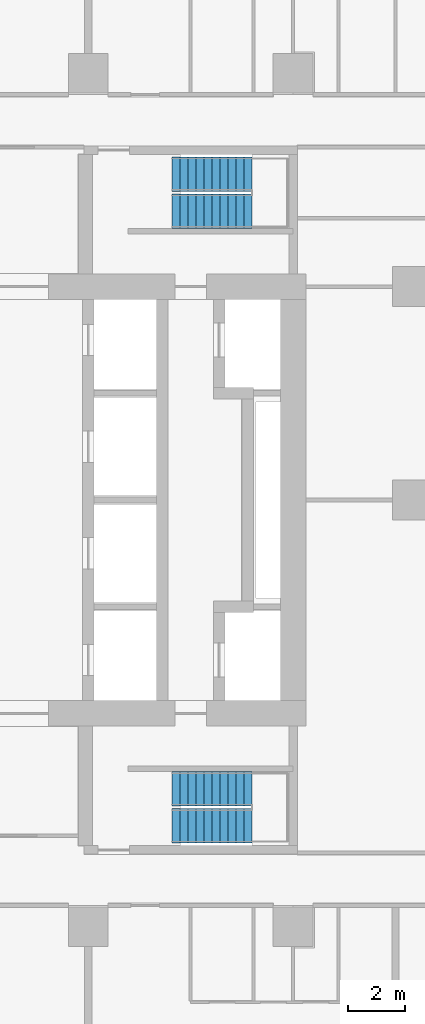
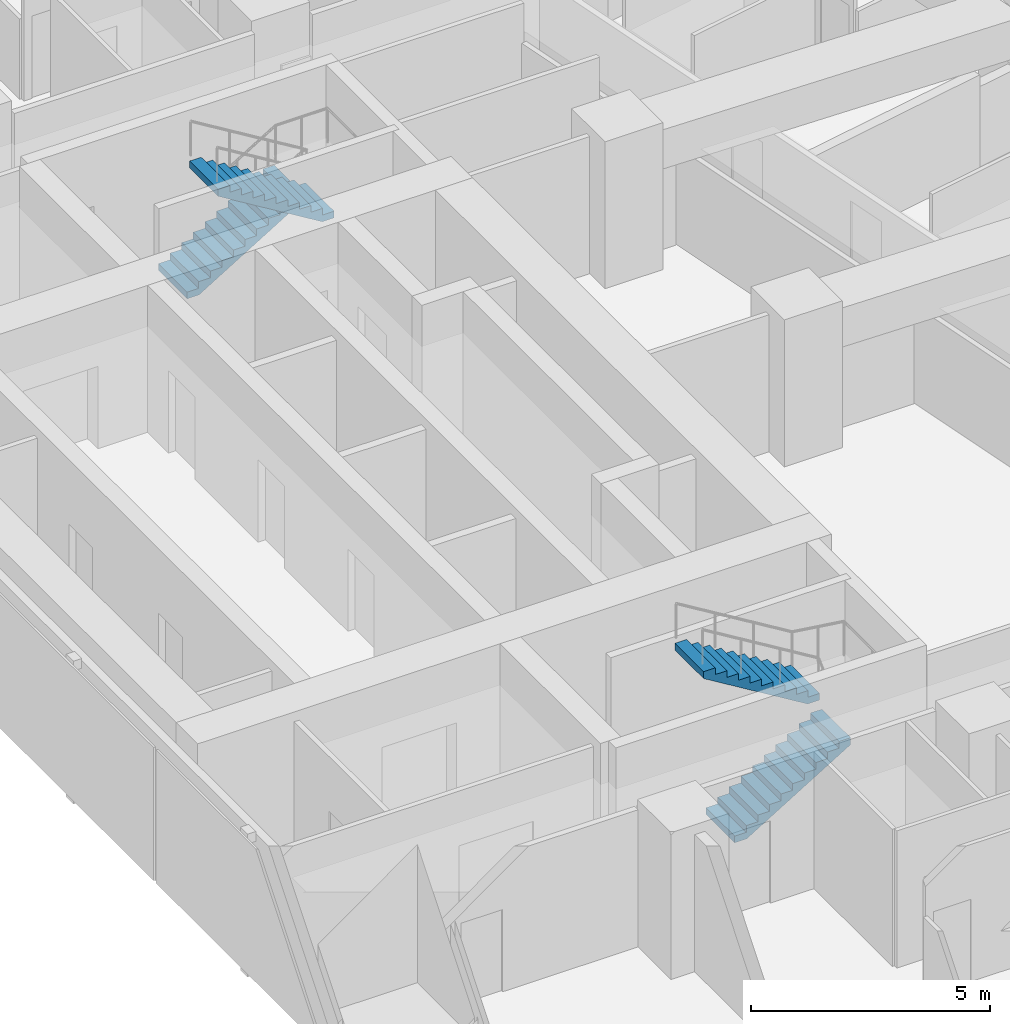
# One storey, part 9 of 10: 4 stair flights, 2 elements without a shape of their own.
"""IFC4 building model written with IfcOpenShell, lengths in metres."""

from ifc_helpers import new_model, si_unit, direction, frame, origin, place, context, subcontext, project, spatial, triangles, material, type_object, element, aggregate, save


model = new_model("IFC4")

# Units and contexts
model_context = context("Model", 3, precision=1e-05, world=origin(), true_north=direction((0.0, 1.0)))
body_context = subcontext(model_context, "Body", "Model", "MODEL_VIEW")
ifc_project = project(units=[si_unit("LENGTHUNIT", "METRE"), si_unit("AREAUNIT", "SQUARE_METRE"), si_unit("VOLUMEUNIT", "CUBIC_METRE"), si_unit("PLANEANGLEUNIT", "RADIAN"), si_unit("MASSUNIT", "GRAM", prefix="KILO")], contexts=[model_context])

# Site, building, storey
site_placement = place(None, origin())
site = spatial("IfcSite", under=ifc_project, at=site_placement, CompositionType="ELEMENT")
building_placement = place(site_placement, origin())
building = spatial("IfcBuilding", under=site, at=building_placement, Name="Sheger Commons Tower", CompositionType="ELEMENT")
storey_placement = place(building_placement, frame((0.0, 0.0, 238.699951171875)))
storey = spatial("IfcBuildingStorey", under=building, at=storey_placement, Name="L61", CompositionType="ELEMENT", Elevation=238.699951171875)

# Stair, stair flights
ifc_material_1 = material(Name="Concrete C35/45", Category="concrete")
stair_type = type_object("IfcStairType", Name="HALF-TURN STAIR 1200 RISE 3750", PredefinedType="HALF_TURN_STAIR", material=ifc_material_1)
stair_1_placement = place(storey_placement, origin())
stair_1 = element("IfcStair", 1, at=stair_1_placement, inside=storey, type_object=stair_type, Name="Stair S1 L61", PredefinedType="HALF_TURN_STAIR")
ifc_material_2 = material(Name="Concrete C35/45", Category="concrete")
stair_flight_type = type_object("IfcStairFlightType", Name="STAIR FLIGHT 1200 11 RISERS OF 170", PredefinedType="STRAIGHT", material=ifc_material_2)
stair_flight_1_placement = place(storey_placement, frame((24.550048828125, 11.050048828125, 0.0), z_axis=(0.0, 0.0, 1.0), x_axis=(1.0, 0.0, 0.0)))
stair_flight_1 = element("IfcStairFlight", 2, at=stair_flight_1_placement, type_object=stair_flight_type, Name="S1 flight 1", NumberOfRisers=11, NumberOfTreads=10, PredefinedType="STRAIGHT", RiserHeight=0.170454545, TreadLength=0.28, context=body_context, shape_type="Tessellation", body=[
    triangles([(0.0, 0.5999755859375, 0.0), (0.0, 0.5999755859375, 0.17041015625), (0.280029296875, 0.5999755859375, 0.17041015625), (0.280029296875, 0.5999755859375, 0.3408203125), (0.56005859375, 0.5999755859375, 0.3408203125), (0.56005859375, 0.5999755859375, 0.511474609375), (0.840087890625, 0.5999755859375, 0.511474609375), (0.840087890625, 0.5999755859375, 0.681884765625), (1.1201171875, 0.5999755859375, 0.681884765625), (1.1201171875, 0.5999755859375, 0.852294921875), (1.39990234375, 0.5999755859375, 0.852294921875), (1.39990234375, 0.5999755859375, 1.022705078125), (1.679931640625, 0.5999755859375, 1.022705078125), (1.679931640625, 0.5999755859375, 1.193115234375), (1.9599609375, 0.5999755859375, 1.193115234375), (1.9599609375, 0.5999755859375, 1.363525390625), (2.239990234375, 0.5999755859375, 1.363525390625), (2.239990234375, 0.5999755859375, 1.5341796875), (2.52001953125, 0.5999755859375, 1.5341796875), (2.52001953125, 0.5999755859375, 1.70458984375), (2.800048828125, 0.5999755859375, 1.70458984375), (2.800048828125, 0.5999755859375, 1.529052734375), (0.288330078125, 0.5999755859375, 0.0), (0.0, -0.5999755859375, 0.0), (0.0, -0.5999755859375, 0.17041015625), (0.280029296875, -0.5999755859375, 0.17041015625), (0.280029296875, -0.5999755859375, 0.3408203125), (0.56005859375, -0.5999755859375, 0.3408203125), (0.56005859375, -0.5999755859375, 0.511474609375), (0.840087890625, -0.5999755859375, 0.511474609375), (0.840087890625, -0.5999755859375, 0.681884765625), (1.1201171875, -0.5999755859375, 0.681884765625), (1.1201171875, -0.5999755859375, 0.852294921875), (1.39990234375, -0.5999755859375, 0.852294921875), (1.39990234375, -0.5999755859375, 1.022705078125), (1.679931640625, -0.5999755859375, 1.022705078125), (1.679931640625, -0.5999755859375, 1.193115234375), (1.9599609375, -0.5999755859375, 1.193115234375), (1.9599609375, -0.5999755859375, 1.363525390625), (2.239990234375, -0.5999755859375, 1.363525390625), (2.239990234375, -0.5999755859375, 1.5341796875), (2.52001953125, -0.5999755859375, 1.5341796875), (2.52001953125, -0.5999755859375, 1.70458984375), (2.800048828125, -0.5999755859375, 1.70458984375), (2.800048828125, -0.5999755859375, 1.529052734375), (0.288330078125, -0.5999755859375, 0.0), (0.0, 0.0, 0.085205078125), (0.1400146484375, 0.0, 0.17041015625), (0.280029296875, 0.0, 0.255615234375), (0.4200439453125, 0.0, 0.3408203125), (0.56005859375, 0.0, 0.4261474609375), (0.7000732421875, 0.0, 0.511474609375), (0.840087890625, 0.0, 0.5966796875), (0.9801025390625, 0.0, 0.681884765625), (1.1201171875, 0.0, 0.76708984375), (1.260009765625, 0.0, 0.852294921875), (1.39990234375, 0.0, 0.9375), (1.5399169921875, 0.0, 1.022705078125), (1.679931640625, 0.0, 1.10791015625), (1.8199462890625, 0.0, 1.193115234375), (1.9599609375, 0.0, 1.2783203125), (2.0999755859375, 0.0, 1.363525390625), (2.239990234375, 0.0, 1.4488525390625), (2.3800048828125, 0.0, 1.5341796875), (2.52001953125, 0.0, 1.619384765625), (2.6600341796875, 0.0, 1.70458984375), (2.800048828125, 0.0, 1.6168212890625), (1.544189453125, 0.0, 0.7645263671875), (0.1441650390625, 0.0, 0.0)], [[1, 22, 23], [24, 46, 45], [22, 20, 21], [45, 44, 43], [22, 19, 20], [45, 43, 42], [22, 18, 19], [45, 42, 41], [22, 17, 18], [45, 41, 40], [17, 15, 16], [40, 39, 38], [22, 15, 17], [45, 40, 38], [15, 13, 14], [38, 37, 36], [22, 13, 15], [45, 38, 36], [13, 11, 12], [36, 35, 34], [22, 11, 13], [45, 36, 34], [11, 9, 10], [34, 33, 32], [22, 9, 11], [45, 34, 32], [9, 7, 8], [32, 31, 30], [22, 7, 9], [45, 32, 30], [7, 5, 6], [30, 29, 28], [22, 5, 7], [45, 30, 28], [5, 3, 4], [28, 27, 26], [22, 3, 5], [45, 28, 26], [1, 3, 22], [24, 45, 26], [3, 1, 2], [26, 25, 24], [1, 47, 2], [2, 47, 25], [25, 47, 24], [24, 47, 1], [2, 48, 3], [3, 48, 26], [26, 48, 25], [25, 48, 2], [3, 49, 4], [4, 49, 27], [27, 49, 26], [26, 49, 3], [4, 50, 5], [5, 50, 28], [28, 50, 27], [27, 50, 4], [5, 51, 6], [6, 51, 29], [29, 51, 28], [28, 51, 5], [6, 52, 7], [7, 52, 30], [30, 52, 29], [29, 52, 6], [7, 53, 8], [8, 53, 31], [31, 53, 30], [30, 53, 7], [8, 54, 9], [9, 54, 32], [32, 54, 31], [31, 54, 8], [9, 55, 10], [10, 55, 33], [33, 55, 32], [32, 55, 9], [10, 56, 11], [11, 56, 34], [34, 56, 33], [33, 56, 10], [11, 57, 12], [12, 57, 35], [35, 57, 34], [34, 57, 11], [12, 58, 13], [13, 58, 36], [36, 58, 35], [35, 58, 12], [13, 59, 14], [14, 59, 37], [37, 59, 36], [36, 59, 13], [14, 60, 15], [15, 60, 38], [38, 60, 37], [37, 60, 14], [15, 61, 16], [16, 61, 39], [39, 61, 38], [38, 61, 15], [16, 62, 17], [17, 62, 40], [40, 62, 39], [39, 62, 16], [17, 63, 18], [18, 63, 41], [41, 63, 40], [40, 63, 17], [18, 64, 19], [19, 64, 42], [42, 64, 41], [41, 64, 18], [19, 65, 20], [20, 65, 43], [43, 65, 42], [42, 65, 19], [20, 66, 21], [21, 66, 44], [44, 66, 43], [43, 66, 20], [21, 67, 22], [22, 67, 45], [45, 67, 44], [44, 67, 21], [22, 68, 23], [23, 68, 46], [46, 68, 45], [45, 68, 22], [23, 69, 1], [1, 69, 24], [24, 69, 46], [46, 69, 23]], closed=True),
])
stair_flight_2_placement = place(storey_placement, frame((27.35009765625, 12.35009765625, 1.875), z_axis=(0.0, 0.0, 1.0), x_axis=(-1.0, 0.0, 0.0)))
stair_flight_2 = element("IfcStairFlight", 3, at=stair_flight_2_placement, type_object=stair_flight_type, Name="S1 flight 2", NumberOfRisers=11, NumberOfTreads=10, PredefinedType="STRAIGHT", RiserHeight=0.170454545, TreadLength=0.28, context=body_context, shape_type="Tessellation", body=[
    triangles([(0.0, 0.5999755859375, 0.0), (0.0, 0.5999755859375, 0.17041015625), (0.280029296875, 0.5999755859375, 0.17041015625), (0.280029296875, 0.5999755859375, 0.3408203125), (0.56005859375, 0.5999755859375, 0.3408203125), (0.56005859375, 0.5999755859375, 0.511474609375), (0.840087890625, 0.5999755859375, 0.511474609375), (0.840087890625, 0.5999755859375, 0.681884765625), (1.1201171875, 0.5999755859375, 0.681884765625), (1.1201171875, 0.5999755859375, 0.852294921875), (1.39990234375, 0.5999755859375, 0.852294921875), (1.39990234375, 0.5999755859375, 1.022705078125), (1.679931640625, 0.5999755859375, 1.022705078125), (1.679931640625, 0.5999755859375, 1.193115234375), (1.9599609375, 0.5999755859375, 1.193115234375), (1.9599609375, 0.5999755859375, 1.363525390625), (2.239990234375, 0.5999755859375, 1.363525390625), (2.239990234375, 0.5999755859375, 1.5341796875), (2.52001953125, 0.5999755859375, 1.5341796875), (2.52001953125, 0.5999755859375, 1.70458984375), (2.800048828125, 0.5999755859375, 1.70458984375), (2.800048828125, 0.5999755859375, 1.529052734375), (0.288330078125, 0.5999755859375, 0.0), (0.0, -0.5999755859375, 0.0), (0.0, -0.5999755859375, 0.17041015625), (0.280029296875, -0.5999755859375, 0.17041015625), (0.280029296875, -0.5999755859375, 0.3408203125), (0.56005859375, -0.5999755859375, 0.3408203125), (0.56005859375, -0.5999755859375, 0.511474609375), (0.840087890625, -0.5999755859375, 0.511474609375), (0.840087890625, -0.5999755859375, 0.681884765625), (1.1201171875, -0.5999755859375, 0.681884765625), (1.1201171875, -0.5999755859375, 0.852294921875), (1.39990234375, -0.5999755859375, 0.852294921875), (1.39990234375, -0.5999755859375, 1.022705078125), (1.679931640625, -0.5999755859375, 1.022705078125), (1.679931640625, -0.5999755859375, 1.193115234375), (1.9599609375, -0.5999755859375, 1.193115234375), (1.9599609375, -0.5999755859375, 1.363525390625), (2.239990234375, -0.5999755859375, 1.363525390625), (2.239990234375, -0.5999755859375, 1.5341796875), (2.52001953125, -0.5999755859375, 1.5341796875), (2.52001953125, -0.5999755859375, 1.70458984375), (2.800048828125, -0.5999755859375, 1.70458984375), (2.800048828125, -0.5999755859375, 1.529052734375), (0.288330078125, -0.5999755859375, 0.0), (0.0, 0.0, 0.085205078125), (0.1400146484375, 0.0, 0.17041015625), (0.280029296875, 0.0, 0.255615234375), (0.4200439453125, 0.0, 0.3408203125), (0.56005859375, 0.0, 0.4261474609375), (0.7000732421875, 0.0, 0.511474609375), (0.840087890625, 0.0, 0.5966796875), (0.9801025390625, 0.0, 0.681884765625), (1.1201171875, 0.0, 0.76708984375), (1.260009765625, 0.0, 0.852294921875), (1.39990234375, 0.0, 0.9375), (1.5399169921875, 0.0, 1.022705078125), (1.679931640625, 0.0, 1.10791015625), (1.8199462890625, 0.0, 1.193115234375), (1.9599609375, 0.0, 1.2783203125), (2.0999755859375, 0.0, 1.363525390625), (2.239990234375, 0.0, 1.4488525390625), (2.3800048828125, 0.0, 1.5341796875), (2.52001953125, 0.0, 1.619384765625), (2.6600341796875, 0.0, 1.70458984375), (2.800048828125, 0.0, 1.6168212890625), (1.544189453125, 0.0, 0.7645263671875), (0.1441650390625, 0.0, 0.0)], [[1, 22, 23], [24, 46, 45], [22, 20, 21], [45, 44, 43], [22, 19, 20], [45, 43, 42], [22, 18, 19], [45, 42, 41], [22, 17, 18], [45, 41, 40], [17, 15, 16], [40, 39, 38], [22, 15, 17], [45, 40, 38], [15, 13, 14], [38, 37, 36], [22, 13, 15], [45, 38, 36], [13, 11, 12], [36, 35, 34], [22, 11, 13], [45, 36, 34], [11, 9, 10], [34, 33, 32], [22, 9, 11], [45, 34, 32], [9, 7, 8], [32, 31, 30], [22, 7, 9], [45, 32, 30], [7, 5, 6], [30, 29, 28], [22, 5, 7], [45, 30, 28], [5, 3, 4], [28, 27, 26], [22, 3, 5], [45, 28, 26], [1, 3, 22], [24, 45, 26], [3, 1, 2], [26, 25, 24], [1, 47, 2], [2, 47, 25], [25, 47, 24], [24, 47, 1], [2, 48, 3], [3, 48, 26], [26, 48, 25], [25, 48, 2], [3, 49, 4], [4, 49, 27], [27, 49, 26], [26, 49, 3], [4, 50, 5], [5, 50, 28], [28, 50, 27], [27, 50, 4], [5, 51, 6], [6, 51, 29], [29, 51, 28], [28, 51, 5], [6, 52, 7], [7, 52, 30], [30, 52, 29], [29, 52, 6], [7, 53, 8], [8, 53, 31], [31, 53, 30], [30, 53, 7], [8, 54, 9], [9, 54, 32], [32, 54, 31], [31, 54, 8], [9, 55, 10], [10, 55, 33], [33, 55, 32], [32, 55, 9], [10, 56, 11], [11, 56, 34], [34, 56, 33], [33, 56, 10], [11, 57, 12], [12, 57, 35], [35, 57, 34], [34, 57, 11], [12, 58, 13], [13, 58, 36], [36, 58, 35], [35, 58, 12], [13, 59, 14], [14, 59, 37], [37, 59, 36], [36, 59, 13], [14, 60, 15], [15, 60, 38], [38, 60, 37], [37, 60, 14], [15, 61, 16], [16, 61, 39], [39, 61, 38], [38, 61, 15], [16, 62, 17], [17, 62, 40], [40, 62, 39], [39, 62, 16], [17, 63, 18], [18, 63, 41], [41, 63, 40], [40, 63, 17], [18, 64, 19], [19, 64, 42], [42, 64, 41], [41, 64, 18], [19, 65, 20], [20, 65, 43], [43, 65, 42], [42, 65, 19], [20, 66, 21], [21, 66, 44], [44, 66, 43], [43, 66, 20], [21, 67, 22], [22, 67, 45], [45, 67, 44], [44, 67, 21], [22, 68, 23], [23, 68, 46], [46, 68, 45], [45, 68, 22], [23, 69, 1], [1, 69, 24], [24, 69, 46], [46, 69, 23]], closed=True),
])
aggregate(stair_1, [stair_flight_1, stair_flight_2])

stair_2_placement = place(storey_placement, origin())
stair_2 = element("IfcStair", 4, at=stair_2_placement, inside=storey, type_object=stair_type, Name="Stair S2 L61", PredefinedType="HALF_TURN_STAIR")
stair_flight_3_placement = place(storey_placement, frame((24.550048828125, 33.949951171875, 0.0), z_axis=(0.0, 0.0, 1.0), x_axis=(1.0, 0.0, 0.0)))
stair_flight_3 = element("IfcStairFlight", 5, at=stair_flight_3_placement, type_object=stair_flight_type, Name="S2 flight 1", NumberOfRisers=11, NumberOfTreads=10, PredefinedType="STRAIGHT", RiserHeight=0.170454545, TreadLength=0.28, context=body_context, shape_type="Tessellation", body=[
    triangles([(0.0, 0.5999755859375, 0.0), (0.0, 0.5999755859375, 0.17041015625), (0.280029296875, 0.5999755859375, 0.17041015625), (0.280029296875, 0.5999755859375, 0.3408203125), (0.56005859375, 0.5999755859375, 0.3408203125), (0.56005859375, 0.5999755859375, 0.511474609375), (0.840087890625, 0.5999755859375, 0.511474609375), (0.840087890625, 0.5999755859375, 0.681884765625), (1.1201171875, 0.5999755859375, 0.681884765625), (1.1201171875, 0.5999755859375, 0.852294921875), (1.39990234375, 0.5999755859375, 0.852294921875), (1.39990234375, 0.5999755859375, 1.022705078125), (1.679931640625, 0.5999755859375, 1.022705078125), (1.679931640625, 0.5999755859375, 1.193115234375), (1.9599609375, 0.5999755859375, 1.193115234375), (1.9599609375, 0.5999755859375, 1.363525390625), (2.239990234375, 0.5999755859375, 1.363525390625), (2.239990234375, 0.5999755859375, 1.5341796875), (2.52001953125, 0.5999755859375, 1.5341796875), (2.52001953125, 0.5999755859375, 1.70458984375), (2.800048828125, 0.5999755859375, 1.70458984375), (2.800048828125, 0.5999755859375, 1.529052734375), (0.288330078125, 0.5999755859375, 0.0), (0.0, -0.5999755859375, 0.0), (0.0, -0.5999755859375, 0.17041015625), (0.280029296875, -0.5999755859375, 0.17041015625), (0.280029296875, -0.5999755859375, 0.3408203125), (0.56005859375, -0.5999755859375, 0.3408203125), (0.56005859375, -0.5999755859375, 0.511474609375), (0.840087890625, -0.5999755859375, 0.511474609375), (0.840087890625, -0.5999755859375, 0.681884765625), (1.1201171875, -0.5999755859375, 0.681884765625), (1.1201171875, -0.5999755859375, 0.852294921875), (1.39990234375, -0.5999755859375, 0.852294921875), (1.39990234375, -0.5999755859375, 1.022705078125), (1.679931640625, -0.5999755859375, 1.022705078125), (1.679931640625, -0.5999755859375, 1.193115234375), (1.9599609375, -0.5999755859375, 1.193115234375), (1.9599609375, -0.5999755859375, 1.363525390625), (2.239990234375, -0.5999755859375, 1.363525390625), (2.239990234375, -0.5999755859375, 1.5341796875), (2.52001953125, -0.5999755859375, 1.5341796875), (2.52001953125, -0.5999755859375, 1.70458984375), (2.800048828125, -0.5999755859375, 1.70458984375), (2.800048828125, -0.5999755859375, 1.529052734375), (0.288330078125, -0.5999755859375, 0.0), (0.0, 0.0, 0.085205078125), (0.1400146484375, 0.0, 0.17041015625), (0.280029296875, 0.0, 0.255615234375), (0.4200439453125, 0.0, 0.3408203125), (0.56005859375, 0.0, 0.4261474609375), (0.7000732421875, 0.0, 0.511474609375), (0.840087890625, 0.0, 0.5966796875), (0.9801025390625, 0.0, 0.681884765625), (1.1201171875, 0.0, 0.76708984375), (1.260009765625, 0.0, 0.852294921875), (1.39990234375, 0.0, 0.9375), (1.5399169921875, 0.0, 1.022705078125), (1.679931640625, 0.0, 1.10791015625), (1.8199462890625, 0.0, 1.193115234375), (1.9599609375, 0.0, 1.2783203125), (2.0999755859375, 0.0, 1.363525390625), (2.239990234375, 0.0, 1.4488525390625), (2.3800048828125, 0.0, 1.5341796875), (2.52001953125, 0.0, 1.619384765625), (2.6600341796875, 0.0, 1.70458984375), (2.800048828125, 0.0, 1.6168212890625), (1.544189453125, 0.0, 0.7645263671875), (0.1441650390625, 0.0, 0.0)], [[1, 22, 23], [24, 46, 45], [22, 20, 21], [45, 44, 43], [22, 19, 20], [45, 43, 42], [22, 18, 19], [45, 42, 41], [22, 17, 18], [45, 41, 40], [17, 15, 16], [40, 39, 38], [22, 15, 17], [45, 40, 38], [15, 13, 14], [38, 37, 36], [22, 13, 15], [45, 38, 36], [13, 11, 12], [36, 35, 34], [22, 11, 13], [45, 36, 34], [11, 9, 10], [34, 33, 32], [22, 9, 11], [45, 34, 32], [9, 7, 8], [32, 31, 30], [22, 7, 9], [45, 32, 30], [7, 5, 6], [30, 29, 28], [22, 5, 7], [45, 30, 28], [5, 3, 4], [28, 27, 26], [22, 3, 5], [45, 28, 26], [1, 3, 22], [24, 45, 26], [3, 1, 2], [26, 25, 24], [1, 47, 2], [2, 47, 25], [25, 47, 24], [24, 47, 1], [2, 48, 3], [3, 48, 26], [26, 48, 25], [25, 48, 2], [3, 49, 4], [4, 49, 27], [27, 49, 26], [26, 49, 3], [4, 50, 5], [5, 50, 28], [28, 50, 27], [27, 50, 4], [5, 51, 6], [6, 51, 29], [29, 51, 28], [28, 51, 5], [6, 52, 7], [7, 52, 30], [30, 52, 29], [29, 52, 6], [7, 53, 8], [8, 53, 31], [31, 53, 30], [30, 53, 7], [8, 54, 9], [9, 54, 32], [32, 54, 31], [31, 54, 8], [9, 55, 10], [10, 55, 33], [33, 55, 32], [32, 55, 9], [10, 56, 11], [11, 56, 34], [34, 56, 33], [33, 56, 10], [11, 57, 12], [12, 57, 35], [35, 57, 34], [34, 57, 11], [12, 58, 13], [13, 58, 36], [36, 58, 35], [35, 58, 12], [13, 59, 14], [14, 59, 37], [37, 59, 36], [36, 59, 13], [14, 60, 15], [15, 60, 38], [38, 60, 37], [37, 60, 14], [15, 61, 16], [16, 61, 39], [39, 61, 38], [38, 61, 15], [16, 62, 17], [17, 62, 40], [40, 62, 39], [39, 62, 16], [17, 63, 18], [18, 63, 41], [41, 63, 40], [40, 63, 17], [18, 64, 19], [19, 64, 42], [42, 64, 41], [41, 64, 18], [19, 65, 20], [20, 65, 43], [43, 65, 42], [42, 65, 19], [20, 66, 21], [21, 66, 44], [44, 66, 43], [43, 66, 20], [21, 67, 22], [22, 67, 45], [45, 67, 44], [44, 67, 21], [22, 68, 23], [23, 68, 46], [46, 68, 45], [45, 68, 22], [23, 69, 1], [1, 69, 24], [24, 69, 46], [46, 69, 23]], closed=True),
])
stair_flight_4_placement = place(storey_placement, frame((27.35009765625, 32.64990234375, 1.875), z_axis=(0.0, 0.0, 1.0), x_axis=(-1.0, 0.0, 0.0)))
stair_flight_4 = element("IfcStairFlight", 6, at=stair_flight_4_placement, type_object=stair_flight_type, Name="S2 flight 2", NumberOfRisers=11, NumberOfTreads=10, PredefinedType="STRAIGHT", RiserHeight=0.170454545, TreadLength=0.28, context=body_context, shape_type="Tessellation", body=[
    triangles([(0.0, 0.5999755859375, 0.0), (0.0, 0.5999755859375, 0.17041015625), (0.280029296875, 0.5999755859375, 0.17041015625), (0.280029296875, 0.5999755859375, 0.3408203125), (0.56005859375, 0.5999755859375, 0.3408203125), (0.56005859375, 0.5999755859375, 0.511474609375), (0.840087890625, 0.5999755859375, 0.511474609375), (0.840087890625, 0.5999755859375, 0.681884765625), (1.1201171875, 0.5999755859375, 0.681884765625), (1.1201171875, 0.5999755859375, 0.852294921875), (1.39990234375, 0.5999755859375, 0.852294921875), (1.39990234375, 0.5999755859375, 1.022705078125), (1.679931640625, 0.5999755859375, 1.022705078125), (1.679931640625, 0.5999755859375, 1.193115234375), (1.9599609375, 0.5999755859375, 1.193115234375), (1.9599609375, 0.5999755859375, 1.363525390625), (2.239990234375, 0.5999755859375, 1.363525390625), (2.239990234375, 0.5999755859375, 1.5341796875), (2.52001953125, 0.5999755859375, 1.5341796875), (2.52001953125, 0.5999755859375, 1.70458984375), (2.800048828125, 0.5999755859375, 1.70458984375), (2.800048828125, 0.5999755859375, 1.529052734375), (0.288330078125, 0.5999755859375, 0.0), (0.0, -0.5999755859375, 0.0), (0.0, -0.5999755859375, 0.17041015625), (0.280029296875, -0.5999755859375, 0.17041015625), (0.280029296875, -0.5999755859375, 0.3408203125), (0.56005859375, -0.5999755859375, 0.3408203125), (0.56005859375, -0.5999755859375, 0.511474609375), (0.840087890625, -0.5999755859375, 0.511474609375), (0.840087890625, -0.5999755859375, 0.681884765625), (1.1201171875, -0.5999755859375, 0.681884765625), (1.1201171875, -0.5999755859375, 0.852294921875), (1.39990234375, -0.5999755859375, 0.852294921875), (1.39990234375, -0.5999755859375, 1.022705078125), (1.679931640625, -0.5999755859375, 1.022705078125), (1.679931640625, -0.5999755859375, 1.193115234375), (1.9599609375, -0.5999755859375, 1.193115234375), (1.9599609375, -0.5999755859375, 1.363525390625), (2.239990234375, -0.5999755859375, 1.363525390625), (2.239990234375, -0.5999755859375, 1.5341796875), (2.52001953125, -0.5999755859375, 1.5341796875), (2.52001953125, -0.5999755859375, 1.70458984375), (2.800048828125, -0.5999755859375, 1.70458984375), (2.800048828125, -0.5999755859375, 1.529052734375), (0.288330078125, -0.5999755859375, 0.0), (0.0, 0.0, 0.085205078125), (0.1400146484375, 0.0, 0.17041015625), (0.280029296875, 0.0, 0.255615234375), (0.4200439453125, 0.0, 0.3408203125), (0.56005859375, 0.0, 0.4261474609375), (0.7000732421875, 0.0, 0.511474609375), (0.840087890625, 0.0, 0.5966796875), (0.9801025390625, 0.0, 0.681884765625), (1.1201171875, 0.0, 0.76708984375), (1.260009765625, 0.0, 0.852294921875), (1.39990234375, 0.0, 0.9375), (1.5399169921875, 0.0, 1.022705078125), (1.679931640625, 0.0, 1.10791015625), (1.8199462890625, 0.0, 1.193115234375), (1.9599609375, 0.0, 1.2783203125), (2.0999755859375, 0.0, 1.363525390625), (2.239990234375, 0.0, 1.4488525390625), (2.3800048828125, 0.0, 1.5341796875), (2.52001953125, 0.0, 1.619384765625), (2.6600341796875, 0.0, 1.70458984375), (2.800048828125, 0.0, 1.6168212890625), (1.544189453125, 0.0, 0.7645263671875), (0.1441650390625, 0.0, 0.0)], [[1, 22, 23], [24, 46, 45], [22, 20, 21], [45, 44, 43], [22, 19, 20], [45, 43, 42], [22, 18, 19], [45, 42, 41], [22, 17, 18], [45, 41, 40], [17, 15, 16], [40, 39, 38], [22, 15, 17], [45, 40, 38], [15, 13, 14], [38, 37, 36], [22, 13, 15], [45, 38, 36], [13, 11, 12], [36, 35, 34], [22, 11, 13], [45, 36, 34], [11, 9, 10], [34, 33, 32], [22, 9, 11], [45, 34, 32], [9, 7, 8], [32, 31, 30], [22, 7, 9], [45, 32, 30], [7, 5, 6], [30, 29, 28], [22, 5, 7], [45, 30, 28], [5, 3, 4], [28, 27, 26], [22, 3, 5], [45, 28, 26], [1, 3, 22], [24, 45, 26], [3, 1, 2], [26, 25, 24], [1, 47, 2], [2, 47, 25], [25, 47, 24], [24, 47, 1], [2, 48, 3], [3, 48, 26], [26, 48, 25], [25, 48, 2], [3, 49, 4], [4, 49, 27], [27, 49, 26], [26, 49, 3], [4, 50, 5], [5, 50, 28], [28, 50, 27], [27, 50, 4], [5, 51, 6], [6, 51, 29], [29, 51, 28], [28, 51, 5], [6, 52, 7], [7, 52, 30], [30, 52, 29], [29, 52, 6], [7, 53, 8], [8, 53, 31], [31, 53, 30], [30, 53, 7], [8, 54, 9], [9, 54, 32], [32, 54, 31], [31, 54, 8], [9, 55, 10], [10, 55, 33], [33, 55, 32], [32, 55, 9], [10, 56, 11], [11, 56, 34], [34, 56, 33], [33, 56, 10], [11, 57, 12], [12, 57, 35], [35, 57, 34], [34, 57, 11], [12, 58, 13], [13, 58, 36], [36, 58, 35], [35, 58, 12], [13, 59, 14], [14, 59, 37], [37, 59, 36], [36, 59, 13], [14, 60, 15], [15, 60, 38], [38, 60, 37], [37, 60, 14], [15, 61, 16], [16, 61, 39], [39, 61, 38], [38, 61, 15], [16, 62, 17], [17, 62, 40], [40, 62, 39], [39, 62, 16], [17, 63, 18], [18, 63, 41], [41, 63, 40], [40, 63, 17], [18, 64, 19], [19, 64, 42], [42, 64, 41], [41, 64, 18], [19, 65, 20], [20, 65, 43], [43, 65, 42], [42, 65, 19], [20, 66, 21], [21, 66, 44], [44, 66, 43], [43, 66, 20], [21, 67, 22], [22, 67, 45], [45, 67, 44], [44, 67, 21], [22, 68, 23], [23, 68, 46], [46, 68, 45], [45, 68, 22], [23, 69, 1], [1, 69, 24], [24, 69, 46], [46, 69, 23]], closed=True),
])
aggregate(stair_2, [stair_flight_3, stair_flight_4])

save(model, "model.ifc")
